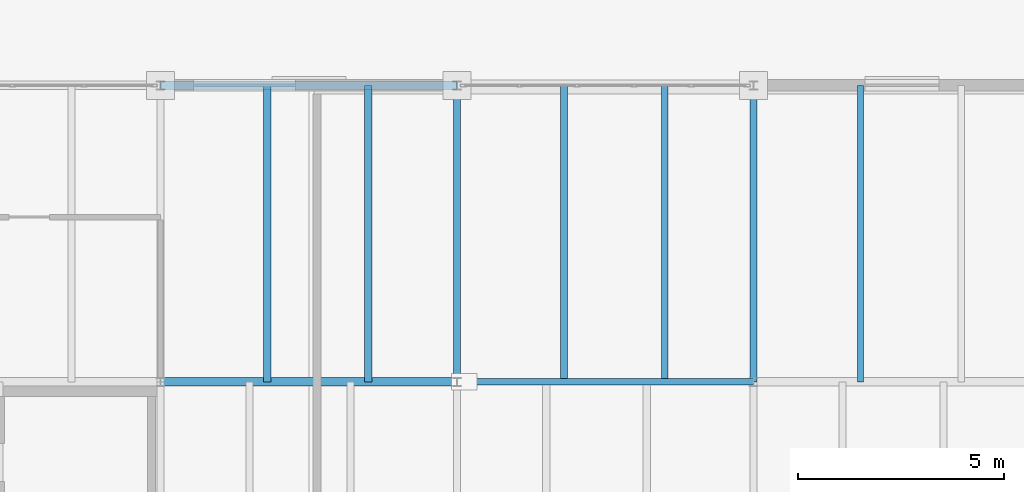
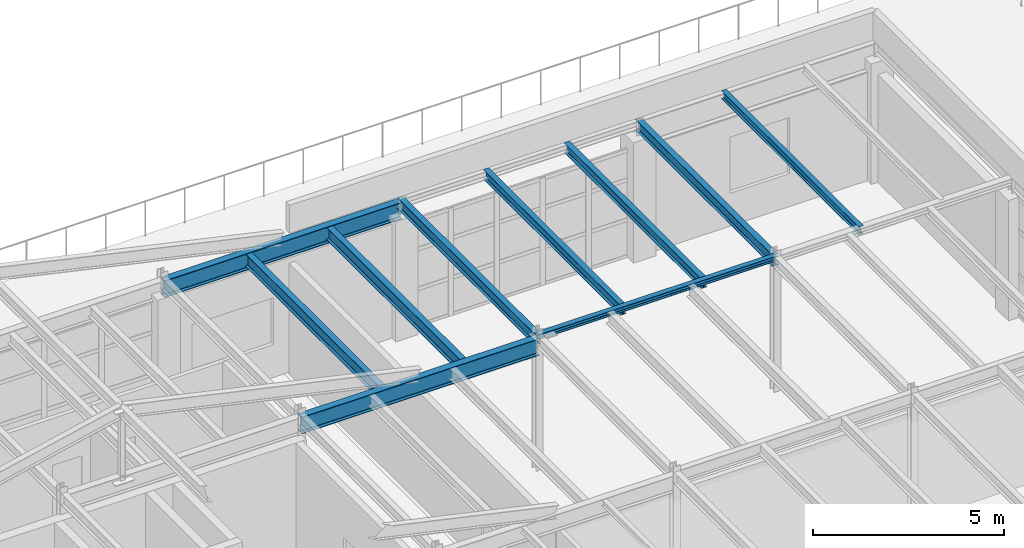
# One storey, part 32 of 43: 10 beams.
"""IFC4 building model written with IfcOpenShell, lengths in metres."""

from ifc_helpers import new_model, si_unit, direction, frame, origin, origin_2d, place, context, subcontext, project, spatial, i_section, extrude, material, material_profile, profile_set, type_object, element, save


model = new_model("IFC4")

# Units and contexts
model_context = context("Model", 3, precision=1e-05, world=origin(), true_north=direction((0.0, 1.0)))
body_context = subcontext(model_context, "Body", "Model", "MODEL_VIEW")
ifc_project = project(units=[si_unit("LENGTHUNIT", "METRE"), si_unit("AREAUNIT", "SQUARE_METRE"), si_unit("VOLUMEUNIT", "CUBIC_METRE"), si_unit("PLANEANGLEUNIT", "RADIAN"), si_unit("MASSUNIT", "GRAM", prefix="KILO")], contexts=[model_context])

# Site, building, storey
site_placement = place(None, origin())
site = spatial("IfcSite", under=ifc_project, at=site_placement, CompositionType="ELEMENT")
building_placement = place(site_placement, origin())
building = spatial("IfcBuilding", under=site, at=building_placement, Name="Kemerveld Promenade Tramway Depot", CompositionType="ELEMENT")
storey_placement = place(building_placement, frame((0.0, 0.0, 18.89990234375)))
storey = spatial("IfcBuildingStorey", under=building, at=storey_placement, Name="L04", CompositionType="ELEMENT", Elevation=18.89990234375)

# Beams
ifc_material = material(Name="Steel S355", Category="steel")
ifc_material_profile_1 = material_profile(ifc_material, i_section(OverallWidth=0.2099609375, OverallDepth=0.53662109375, WebThickness=0.0107421875, FlangeThickness=0.017333984375, FilletRadius=0.0126953125, at=origin_2d()), Name="533x210x101 UB")
ifc_profile_set_1 = profile_set([ifc_material_profile_1], Name="Steel S355")
beam_type_1 = type_object("IfcBeamType", Name="BM-G05", PredefinedType="BEAM", material=ifc_profile_set_1)
for number, where, z_axis, x_axis, name in (
    (1, (14.39990234375, 50.39990234375, 3.94677734375), (1.0, 0.0, 0.0), (0.0, 1.0, 0.0), "BMX-L04-03-04-H"),
    (2, (14.39990234375, 57.60009765625, 3.94677734375), (1.0, 0.0, 0.0), (0.0, 1.0, 0.0), "BMX-L04-03-04-J"),
):
    element("IfcBeam", number, at=place(storey_placement, frame(where, z_axis=z_axis, x_axis=x_axis)), inside=storey, type_object=beam_type_1, Name=name, PredefinedType="BEAM", context=body_context, shape_type="SweptSolid", body=[
        extrude(i_section(OverallWidth=0.2099609375, OverallDepth=0.53662109375, WebThickness=0.0107421875, FlangeThickness=0.017333984375, FilletRadius=0.0126953125, at=origin_2d()), origin(), (0.0, 0.0, 1.0), 7.2001953125),
    ])
ifc_material_profile_2 = material_profile(ifc_material, i_section(OverallWidth=0.172119140625, OverallDepth=0.35791015625, WebThickness=0.008056640625, FlangeThickness=0.012939453125, FilletRadius=0.01025390625, at=origin_2d()), Name="356x171x57 UB")
ifc_profile_set_2 = profile_set([ifc_material_profile_2], Name="Steel S355")
beam_type_2 = type_object("IfcBeamType", Name="BM-G08", PredefinedType="BEAM", material=ifc_profile_set_2)
for number, where, z_axis, x_axis, name in (
    (3, (21.60009765625, 50.39990234375, 4.14111328125), (0.0, 1.0, 0.0), (-1.0, 0.0, 0.0), "BMY-L04-04-H-J"),
    (4, (28.800048828125, 50.39990234375, 4.14111328125), (0.0, 1.0, 0.0), (-1.0, 0.0, 0.0), "BMY-L04-05-H-J"),
):
    element("IfcBeam", number, at=place(storey_placement, frame(where, z_axis=z_axis, x_axis=x_axis)), inside=storey, type_object=beam_type_2, Name=name, PredefinedType="BEAM", context=body_context, shape_type="SweptSolid", body=[
        extrude(i_section(OverallWidth=0.172119140625, OverallDepth=0.35791015625, WebThickness=0.008056640625, FlangeThickness=0.012939453125, FilletRadius=0.01025390625, at=origin_2d()), origin(), (0.0, 0.0, 1.0), 7.2001953125),
    ])
ifc_material_profile_3 = material_profile(ifc_material, i_section(OverallWidth=0.165771484375, OverallDepth=0.306640625, WebThickness=0.006591796875, FlangeThickness=0.01171875, FilletRadius=0.0087890625, at=origin_2d()), Name="305x165x46 UB")
ifc_profile_set_3 = profile_set([ifc_material_profile_3], Name="Steel S355")
beam_type_3 = type_object("IfcBeamType", Name="BM-J01", PredefinedType="JOIST", material=ifc_profile_set_3)
for number, where, z_axis, x_axis, name in (
    (5, (24.19189453125, 50.39990234375, 4.166748046875), (0.0, 1.0, 0.0), (-1.0, 0.0, 0.0), "JST-L04-04-H-1"),
    (6, (26.639892578125, 50.39990234375, 4.166748046875), (0.0, 1.0, 0.0), (-1.0, 0.0, 0.0), "JST-L04-04-H-2"),
):
    element("IfcBeam", number, at=place(storey_placement, frame(where, z_axis=z_axis, x_axis=x_axis)), inside=storey, type_object=beam_type_3, Name=name, PredefinedType="JOIST", context=body_context, shape_type="SweptSolid", body=[
        extrude(i_section(OverallWidth=0.165771484375, OverallDepth=0.306640625, WebThickness=0.006591796875, FlangeThickness=0.01171875, FilletRadius=0.0087890625, at=origin_2d()), origin(), (0.0, 0.0, 1.0), 7.2001953125),
    ])
ifc_material_profile_4 = material_profile(ifc_material, i_section(OverallWidth=0.146484375, OverallDepth=0.256103515625, WebThickness=0.00634765625, FlangeThickness=0.010986328125, FilletRadius=0.007568359375, at=origin_2d()), Name="254x146x37 UB")
ifc_profile_set_4 = profile_set([ifc_material_profile_4], Name="Steel S355")
beam_type_4 = type_object("IfcBeamType", Name="BM-J02", PredefinedType="JOIST", material=ifc_profile_set_4)
beam_1_placement = place(storey_placement, frame((31.39208984375, 50.39990234375, 4.192138671875), z_axis=(0.0, 1.0, 0.0), x_axis=(-1.0, 0.0, 0.0)))
element("IfcBeam", 7, at=beam_1_placement, inside=storey, type_object=beam_type_4, Name="JST-L04-05-H-1", PredefinedType="JOIST", context=body_context, shape_type="SweptSolid", body=[
    extrude(i_section(OverallWidth=0.146484375, OverallDepth=0.256103515625, WebThickness=0.00634765625, FlangeThickness=0.010986328125, FilletRadius=0.007568359375, at=origin_2d()), origin(), (0.0, 0.0, 1.0), 7.2001953125),
])
ifc_material_profile_5 = material_profile(ifc_material, i_section(OverallWidth=0.1787109375, OverallDepth=0.409423828125, WebThickness=0.0087890625, FlangeThickness=0.014404296875, FilletRadius=0.01025390625, at=origin_2d()), Name="406x178x67 UB")
ifc_profile_set_5 = profile_set([ifc_material_profile_5], Name="Steel S355")
beam_type_5 = type_object("IfcBeamType", Name="BM-J05", PredefinedType="JOIST", material=ifc_profile_set_5)
for number, where, z_axis, x_axis, name in (
    (8, (16.991943359375, 50.39990234375, 3.950439453125), (0.0, 1.0, 0.0), (-1.0, 0.0, 0.0), "JST-L04-03-H-1"),
    (9, (19.43994140625, 50.39990234375, 3.950439453125), (0.0, 1.0, 0.0), (-1.0, 0.0, 0.0), "JST-L04-03-H-2"),
):
    element("IfcBeam", number, at=place(storey_placement, frame(where, z_axis=z_axis, x_axis=x_axis)), inside=storey, type_object=beam_type_5, Name=name, PredefinedType="JOIST", context=body_context, shape_type="SweptSolid", body=[
        extrude(i_section(OverallWidth=0.1787109375, OverallDepth=0.409423828125, WebThickness=0.0087890625, FlangeThickness=0.014404296875, FilletRadius=0.01025390625, at=origin_2d()), origin(), (0.0, 0.0, 1.0), 7.2001953125),
    ])
ifc_material_profile_6 = material_profile(ifc_material, i_section(OverallWidth=0.154296875, OverallDepth=0.161865234375, WebThickness=0.008056640625, FlangeThickness=0.011474609375, FilletRadius=0.007568359375, at=origin_2d()), Name="152x152x37 UC")
ifc_profile_set_6 = profile_set([ifc_material_profile_6], Name="Steel S355")
beam_type_6 = type_object("IfcBeamType", Name="BM-LN2", PredefinedType="LINTEL", material=ifc_profile_set_6)
beam_2_placement = place(storey_placement, frame((21.60009765625, 50.39990234375, 4.2392578125), z_axis=(1.0, 0.0, 0.0), x_axis=(0.0, 1.0, 0.0)))
element("IfcBeam", 10, at=beam_2_placement, inside=storey, type_object=beam_type_6, Name="BMX-L04-04-05-H", PredefinedType="LINTEL", context=body_context, shape_type="SweptSolid", body=[
    extrude(i_section(OverallWidth=0.154296875, OverallDepth=0.161865234375, WebThickness=0.008056640625, FlangeThickness=0.011474609375, FilletRadius=0.007568359375, at=origin_2d()), origin(), (0.0, 0.0, 1.0), 7.199951171875),
])

save(model, "model.ifc")
